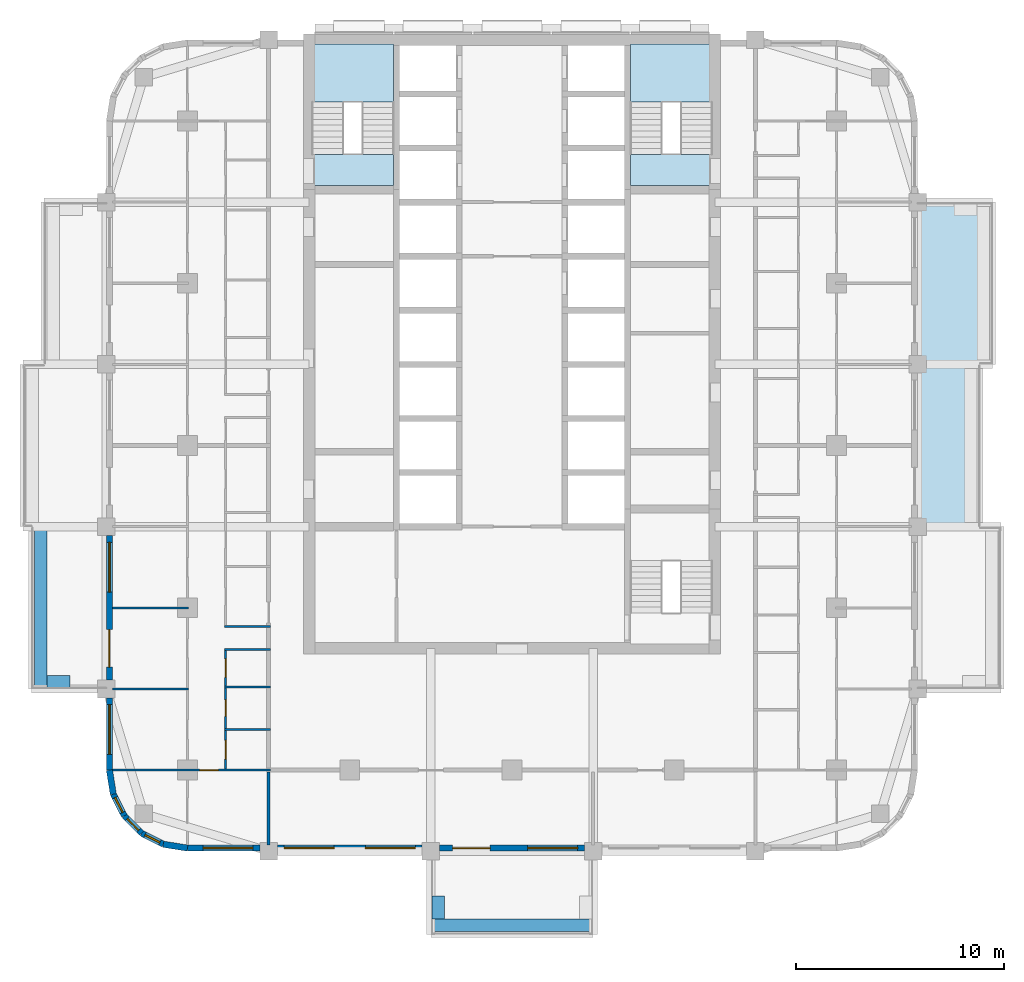
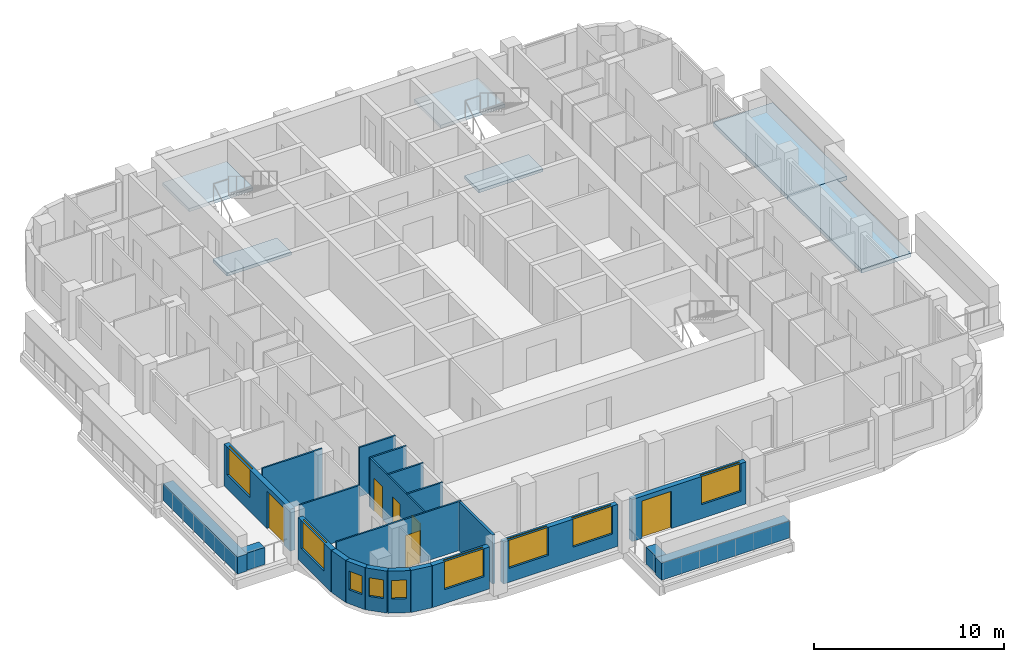
# One storey, part 2 of 12: 23 walls, 9 windows, 6 doors, 6 slabs, 15 openings, 2 elements without a shape of their own.
"""IFC4 building model written with IfcOpenShell, lengths in metres."""

from ifc_helpers import new_model, si_unit, direction, frame, frame_2d, origin, place, context, subcontext, project, spatial, polyline, rectangle, outline, extrude, material, layer, layer_set, type_object, element, fill, aggregate, save


model = new_model("IFC4")

# Units and contexts
model_context = context("Model", 3, precision=1e-05, world=origin(), true_north=direction((0.0, 1.0)))
body_context = subcontext(model_context, "Body", "Model", "MODEL_VIEW")
ifc_project = project(units=[si_unit("LENGTHUNIT", "METRE"), si_unit("AREAUNIT", "SQUARE_METRE"), si_unit("VOLUMEUNIT", "CUBIC_METRE"), si_unit("PLANEANGLEUNIT", "RADIAN"), si_unit("MASSUNIT", "GRAM", prefix="KILO")], contexts=[model_context])

# Site, building, storey
site_placement = place(None, origin())
site = spatial("IfcSite", under=ifc_project, at=site_placement, CompositionType="ELEMENT")
building_placement = place(site_placement, origin())
building = spatial("IfcBuilding", under=site, at=building_placement, Name="Ludao Terraces", CompositionType="ELEMENT")
storey_placement = place(building_placement, frame((0.0, 0.0, 137.300048828125)))
storey = spatial("IfcBuildingStorey", under=building, at=storey_placement, Name="L37", CompositionType="ELEMENT", Elevation=137.300048828125)

# Slabs
ifc_material_1 = material(Name="Concrete C40", Category="concrete")
ifc_layer_1 = layer(ifc_material_1, 0.25)
ifc_layer_set_1 = layer_set([ifc_layer_1], Name="Balcony slab 250 C40")
slab_type_1 = type_object("IfcSlabType", Name="Balcony slab 250 C40", PredefinedType="USERDEFINED", material=ifc_layer_set_1)
slab_1_placement = place(storey_placement, frame((0.0, 0.0, -0.25)))
element("IfcSlab", 1, at=slab_1_placement, inside=storey, type_object=slab_type_1, Name="Balcony L37 E2", ObjectType="BALCONY", PredefinedType="USERDEFINED", context=body_context, shape_type="SweptSolid", body=[
    extrude(outline(polyline([(104.5, 61.10009765625), (107.5, 61.10009765625), (107.5, 68.89990234375), (104.5, 68.89990234375), (104.5, 61.10009765625)])), origin(), (0.0, 0.0, 1.0), 0.25),
])
slab_2_placement = place(storey_placement, frame((0.0, 0.0, -0.25)))
element("IfcSlab", 2, at=slab_2_placement, inside=storey, type_object=slab_type_1, Name="Balcony L37 E3", ObjectType="BALCONY", PredefinedType="USERDEFINED", context=body_context, shape_type="SweptSolid", body=[
    extrude(outline(polyline([(104.5, 68.89990234375), (108.10009765625, 68.89990234375), (108.10009765625, 76.699951171875), (104.5, 76.699951171875), (104.5, 68.89990234375)])), origin(), (0.0, 0.0, 1.0), 0.25),
])

# Stair, slabs
stair_type = type_object("IfcStairType", Name="INT Stair", PredefinedType="HALF_TURN_STAIR", material=ifc_material_1)
stair_1_placement = place(storey_placement, origin())
stair_1 = element("IfcStair", 3, at=stair_1_placement, inside=storey, type_object=stair_type, Name="EXIT STAIR 1", PredefinedType="HALF_TURN_STAIR")
ifc_layer_2 = layer(ifc_material_1, 0.199951171875)
ifc_layer_set_2 = layer_set([ifc_layer_2], Name="INT Stair landing 200")
slab_type_2 = type_object("IfcSlabType", Name="INT Stair landing 200", PredefinedType="LANDING", material=ifc_layer_set_2)
slab_3_placement = place(storey_placement, frame((0.0, 0.0, 1.5)))
slab_3 = element("IfcSlab", 4, at=slab_3_placement, type_object=slab_type_2, Name="ST1 landing 1", PredefinedType="LANDING", context=body_context, shape_type="SweptSolid", body=[
    extrude(outline(polyline([(75.39990234375, 81.52001953125), (79.300048828125, 81.52001953125), (79.300048828125, 84.300048828125), (75.39990234375, 84.300048828125), (75.39990234375, 81.52001953125)])), origin(), (0.0, 0.0, 1.0), 0.199951171875),
])
slab_4_placement = place(storey_placement, frame((0.0, 0.0, -0.199951171875)))
slab_4 = element("IfcSlab", 5, at=slab_4_placement, type_object=slab_type_2, Name="ST1 landing 2", PredefinedType="LANDING", context=body_context, shape_type="SweptSolid", body=[
    extrude(outline(polyline([(75.39990234375, 77.5), (79.300048828125, 77.5), (79.300048828125, 79.0), (75.39990234375, 79.0), (75.39990234375, 77.5)])), origin(), (0.0, 0.0, 1.0), 0.199951171875),
])
aggregate(stair_1, [slab_3, slab_4])

stair_2_placement = place(storey_placement, origin())
stair_2 = element("IfcStair", 6, at=stair_2_placement, inside=storey, type_object=stair_type, Name="EXIT STAIR 2", PredefinedType="HALF_TURN_STAIR")
slab_5_placement = place(storey_placement, frame((0.0, 0.0, 1.5)))
slab_5 = element("IfcSlab", 7, at=slab_5_placement, type_object=slab_type_2, Name="ST2 landing 1", PredefinedType="LANDING", context=body_context, shape_type="SweptSolid", body=[
    extrude(outline(polyline([(90.699951171875, 81.52001953125), (94.60009765625, 81.52001953125), (94.60009765625, 84.300048828125), (90.699951171875, 84.300048828125), (90.699951171875, 81.52001953125)])), origin(), (0.0, 0.0, 1.0), 0.199951171875),
])
slab_6_placement = place(storey_placement, frame((0.0, 0.0, -0.199951171875)))
slab_6 = element("IfcSlab", 8, at=slab_6_placement, type_object=slab_type_2, Name="ST2 landing 2", PredefinedType="LANDING", context=body_context, shape_type="SweptSolid", body=[
    extrude(outline(polyline([(90.699951171875, 77.5), (94.60009765625, 77.5), (94.60009765625, 79.0), (90.699951171875, 79.0), (90.699951171875, 77.5)])), origin(), (0.0, 0.0, 1.0), 0.199951171875),
])
aggregate(stair_2, [slab_5, slab_6])

# Walls
ifc_layer_3 = layer(ifc_material_1, 0.60009765625)
ifc_layer_set_3 = layer_set([ifc_layer_3], Name="ENV Planter trough 600")
wall_type_1 = type_object("IfcWallType", Name="ENV Planter trough 600", PredefinedType="USERDEFINED", material=ifc_layer_set_3)
wall_1_placement = place(storey_placement, frame((81.10009765625, 41.949951171875, 0.0), z_axis=(0.0, 0.0, 1.0), x_axis=(1.0, 0.0, 0.0)))
element("IfcWall", 9, at=wall_1_placement, inside=storey, type_object=wall_type_1, Name="PL-L37-S1", ObjectType="PLANTER", PredefinedType="USERDEFINED", context=body_context, shape_type="SweptSolid", body=[
    extrude(rectangle(XDim=7.7998046875, YDim=0.60009765625, at=frame_2d((3.89990234375, 0.0))), origin(), (0.0, 0.0, 1.0), 1.099853515625),
])
wall_2_placement = place(storey_placement, frame((81.449951171875, 42.25, 0.0), z_axis=(0.0, 0.0, 1.0), x_axis=(0.0, 1.0, 0.0)))
element("IfcWall", 10, at=wall_2_placement, inside=storey, type_object=wall_type_1, Name="PL-L37-S1-SA", ObjectType="PLANTER", PredefinedType="USERDEFINED", context=body_context, shape_type="SweptSolid", body=[
    extrude(rectangle(XDim=1.10009765625, YDim=0.60009765625, at=frame_2d((0.550048828125, 0.0))), origin(), (0.0, 0.0, 1.0), 1.099853515625),
])
wall_3_placement = place(storey_placement, frame((62.35009765625, 53.300048828125, 0.0), z_axis=(0.0, 0.0, 1.0), x_axis=(0.0, 1.0, 0.0)))
element("IfcWall", 11, at=wall_3_placement, inside=storey, type_object=wall_type_1, Name="PL-L37-W1", ObjectType="PLANTER", PredefinedType="USERDEFINED", context=body_context, shape_type="SweptSolid", body=[
    extrude(rectangle(XDim=7.800048828125, YDim=0.60009765625, at=frame_2d((3.89990234375, 0.0))), origin(), (0.0, 0.0, 1.0), 1.099853515625),
])
wall_4_placement = place(storey_placement, frame((62.64990234375, 53.64990234375, 0.0), z_axis=(0.0, 0.0, 1.0), x_axis=(1.0, 0.0, 0.0)))
element("IfcWall", 12, at=wall_4_placement, inside=storey, type_object=wall_type_1, Name="PL-L37-W1-SA", ObjectType="PLANTER", PredefinedType="USERDEFINED", context=body_context, shape_type="SweptSolid", body=[
    extrude(rectangle(XDim=1.10009765625, YDim=0.60009765625, at=frame_2d((0.550048828125, 0.0))), origin(), (0.0, 0.0, 1.0), 1.099853515625),
])

# Wall, opening, window
ifc_material_2 = material(Name="Granite cladding", Category="masonry")
ifc_layer_4 = layer(ifc_material_2, 0.0400390625, Category="stone")
ifc_material_3 = material(Name="Mineral wool")
ifc_layer_5 = layer(ifc_material_3, 0.06005859375)
ifc_layer_6 = layer(ifc_material_1, 0.199951171875, Category="concrete")
ifc_layer_set_4 = layer_set([ifc_layer_4, ifc_layer_5, ifc_layer_6], Name="ENV Stone-clad wall 300")
wall_type_2 = type_object("IfcWallType", Name="ENV Stone-clad wall 300", PredefinedType="SOLIDWALL", material=ifc_layer_set_4)
wall_5_placement = place(storey_placement, frame((69.39990234375, 45.64990234375, 0.0), z_axis=(0.0, 0.0, 1.0), x_axis=(1.0, 0.0, 0.0)))
wall_5 = element("IfcWall", 13, at=wall_5_placement, inside=storey, type_object=wall_type_2, Name="EW-L37-S1", PredefinedType="SOLIDWALL", context=body_context, shape_type="SweptSolid", body=[
    extrude(rectangle(XDim=3.47509765625, YDim=0.300048828125, at=frame_2d((1.737548828125, 0.0))), origin(), (0.0, 0.0, 1.0), 2.699951171875),
])
opening_1_placement = place(wall_5_placement, frame((0.75, 0.0, 0.89990234375)))
opening_1 = element("IfcOpeningElement", 14, at=opening_1_placement, cuts=wall_5, Name="Opening W1", PredefinedType="OPENING", context=body_context, shape_type="SweptSolid", body=[
    extrude(rectangle(XDim=2.39990234375, YDim=1.800048828125, at=frame_2d((1.199951171875, 0.89990234375))), frame((0.0, 0.16015625, 0.0), z_axis=(0.0, -1.0, 0.0), x_axis=(1.0, 0.0, 0.0)), (0.0, 0.0, 1.0), 0.320068359375),
])
ifc_material_4 = material(Name="Clear glass in aluminium frame", Category="aluminium")
ifc_layer_7 = layer(ifc_material_4, 0.06005859375)
ifc_layer_set_5 = layer_set([ifc_layer_7], Name="ENV Window W1 2400x1800")
window_type_1 = type_object("IfcWindowType", Name="ENV Window W1 2400x1800", PartitioningType="DOUBLE_PANEL_VERTICAL", PredefinedType="WINDOW", material=ifc_layer_set_5)
window_1_placement = place(opening_1_placement, origin())
window_1 = element("IfcWindow", 15, at=window_1_placement, inside=storey, type_object=window_type_1, Name="W-L37-S1-1", OverallHeight=1.800048828125, OverallWidth=2.39990234375, PartitioningType="DOUBLE_PANEL_VERTICAL", PredefinedType="WINDOW", context=body_context, shape_type="SweptSolid", body=[
    extrude(rectangle(XDim=2.39990234375, YDim=1.800048828125, at=frame_2d((1.199951171875, 0.89990234375))), frame((0.0, 0.030029296875, 0.0), z_axis=(0.0, -1.0, 0.0), x_axis=(1.0, 0.0, 0.0)), (0.0, 0.0, 1.0), 0.06005859375),
])
fill(opening_1, window_1)

# Wall, openings, windows
wall_6_placement = place(storey_placement, frame((73.72509765625, 45.64990234375, 0.0), z_axis=(0.0, 0.0, 1.0), x_axis=(1.0, 0.0, 0.0)))
wall_6 = element("IfcWall", 16, at=wall_6_placement, inside=storey, type_object=wall_type_2, Name="EW-L37-S2", PredefinedType="SOLIDWALL", context=body_context, shape_type="SweptSolid", body=[
    extrude(rectangle(XDim=6.949951171875, YDim=0.300048828125, at=frame_2d((3.47509765625, 0.0))), origin(), (0.0, 0.0, 1.0), 2.699951171875),
])
opening_2_placement = place(wall_6_placement, frame((0.324951171875, 0.0, 0.89990234375)))
opening_2 = element("IfcOpeningElement", 17, at=opening_2_placement, cuts=wall_6, Name="Opening W1", PredefinedType="OPENING", context=body_context, shape_type="SweptSolid", body=[
    extrude(rectangle(XDim=2.39990234375, YDim=1.800048828125, at=frame_2d((1.199951171875, 0.89990234375))), frame((0.0, 0.16015625, 0.0), z_axis=(0.0, -1.0, 0.0), x_axis=(1.0, 0.0, 0.0)), (0.0, 0.0, 1.0), 0.320068359375),
])
opening_3_placement = place(wall_6_placement, frame((4.22509765625, 0.0, 0.89990234375)))
opening_3 = element("IfcOpeningElement", 18, at=opening_3_placement, cuts=wall_6, Name="Opening W1", PredefinedType="OPENING", context=body_context, shape_type="SweptSolid", body=[
    extrude(rectangle(XDim=2.39990234375, YDim=1.800048828125, at=frame_2d((1.199951171875, 0.89990234375))), frame((0.0, 0.16015625, 0.0), z_axis=(0.0, -1.0, 0.0), x_axis=(1.0, 0.0, 0.0)), (0.0, 0.0, 1.0), 0.320068359375),
])
window_2_placement = place(opening_2_placement, origin())
window_2 = element("IfcWindow", 19, at=window_2_placement, inside=storey, type_object=window_type_1, Name="W-L37-S2-1", OverallHeight=1.800048828125, OverallWidth=2.39990234375, PartitioningType="DOUBLE_PANEL_VERTICAL", PredefinedType="WINDOW", context=body_context, shape_type="SweptSolid", body=[
    extrude(rectangle(XDim=2.39990234375, YDim=1.800048828125, at=frame_2d((1.199951171875, 0.89990234375))), frame((0.0, 0.030029296875, 0.0), z_axis=(0.0, -1.0, 0.0), x_axis=(1.0, 0.0, 0.0)), (0.0, 0.0, 1.0), 0.06005859375),
])
fill(opening_2, window_2)
window_3_placement = place(opening_3_placement, origin())
window_3 = element("IfcWindow", 20, at=window_3_placement, inside=storey, type_object=window_type_1, Name="W-L37-S2-2", OverallHeight=1.800048828125, OverallWidth=2.39990234375, PartitioningType="DOUBLE_PANEL_VERTICAL", PredefinedType="WINDOW", context=body_context, shape_type="SweptSolid", body=[
    extrude(rectangle(XDim=2.39990234375, YDim=1.800048828125, at=frame_2d((1.199951171875, 0.89990234375))), frame((0.0, 0.030029296875, 0.0), z_axis=(0.0, -1.0, 0.0), x_axis=(1.0, 0.0, 0.0)), (0.0, 0.0, 1.0), 0.06005859375),
])
fill(opening_3, window_3)

# Wall, openings, door, window
wall_7_placement = place(storey_placement, frame((81.52490234375, 45.64990234375, 0.0), z_axis=(0.0, 0.0, 1.0), x_axis=(1.0, 0.0, 0.0)))
wall_7 = element("IfcWall", 21, at=wall_7_placement, inside=storey, type_object=wall_type_2, Name="EW-L37-S3", PredefinedType="SOLIDWALL", context=body_context, shape_type="SweptSolid", body=[
    extrude(rectangle(XDim=6.9501953125, YDim=0.300048828125, at=frame_2d((3.47509765625, 0.0))), origin(), (0.0, 0.0, 1.0), 2.699951171875),
])
opening_4_placement = place(wall_7_placement, frame((0.625, 0.0, 0.0)))
opening_4 = element("IfcOpeningElement", 22, at=opening_4_placement, cuts=wall_7, Name="Opening BD", PredefinedType="OPENING", context=body_context, shape_type="SweptSolid", body=[
    extrude(rectangle(XDim=1.800048828125, YDim=2.39990234375, at=frame_2d((0.89990234375, 1.199951171875))), frame((0.0, 0.16015625, 0.0), z_axis=(0.0, -1.0, 0.0), x_axis=(1.0, 0.0, 0.0)), (0.0, 0.0, 1.0), 0.320068359375),
])
opening_5_placement = place(wall_7_placement, frame((4.22509765625, 0.0, 0.89990234375)))
opening_5 = element("IfcOpeningElement", 23, at=opening_5_placement, cuts=wall_7, Name="Opening W1", PredefinedType="OPENING", context=body_context, shape_type="SweptSolid", body=[
    extrude(rectangle(XDim=2.39990234375, YDim=1.800048828125, at=frame_2d((1.199951171875, 0.89990234375))), frame((0.0, 0.16015625, 0.0), z_axis=(0.0, -1.0, 0.0), x_axis=(1.0, 0.0, 0.0)), (0.0, 0.0, 1.0), 0.320068359375),
])
ifc_material_5 = material(Name="Aluminium glazed door", Category="aluminium")
ifc_layer_8 = layer(ifc_material_5, 0.06005859375)
ifc_layer_set_6 = layer_set([ifc_layer_8], Name="ENV Balcony door BD 1800x2400")
door_type_1 = type_object("IfcDoorType", Name="ENV Balcony door BD 1800x2400", OperationType="DOUBLE_DOOR_SINGLE_SWING", PredefinedType="DOOR", material=ifc_layer_set_6)
door_1_placement = place(opening_4_placement, origin())
door_1 = element("IfcDoor", 24, at=door_1_placement, inside=storey, type_object=door_type_1, Name="BD-L37-S3-1", OperationType="DOUBLE_DOOR_SINGLE_SWING", OverallHeight=2.39990234375, OverallWidth=1.800048828125, PredefinedType="DOOR", context=body_context, shape_type="SweptSolid", body=[
    extrude(rectangle(XDim=1.800048828125, YDim=2.39990234375, at=frame_2d((0.89990234375, 1.199951171875))), frame((0.0, 0.02490234375, 0.0), z_axis=(0.0, -1.0, 0.0), x_axis=(1.0, 0.0, 0.0)), (0.0, 0.0, 1.0), 0.050048828125),
])
fill(opening_4, door_1)
window_4_placement = place(opening_5_placement, origin())
window_4 = element("IfcWindow", 25, at=window_4_placement, inside=storey, type_object=window_type_1, Name="W-L37-S3-2", OverallHeight=1.800048828125, OverallWidth=2.39990234375, PartitioningType="DOUBLE_PANEL_VERTICAL", PredefinedType="WINDOW", context=body_context, shape_type="SweptSolid", body=[
    extrude(rectangle(XDim=2.39990234375, YDim=1.800048828125, at=frame_2d((1.199951171875, 0.89990234375))), frame((0.0, 0.030029296875, 0.0), z_axis=(0.0, -1.0, 0.0), x_axis=(1.0, 0.0, 0.0)), (0.0, 0.0, 1.0), 0.06005859375),
])
fill(opening_5, window_4)

# Wall, opening, window
wall_8_placement = place(storey_placement, frame((65.64990234375, 49.39990234375, 0.0), z_axis=(0.0, 0.0, 1.0), x_axis=(0.0, 1.0, 0.0)))
wall_8 = element("IfcWall", 26, at=wall_8_placement, inside=storey, type_object=wall_type_2, Name="EW-L37-W1", PredefinedType="SOLIDWALL", context=body_context, shape_type="SweptSolid", body=[
    extrude(rectangle(XDim=3.47509765625, YDim=0.300048828125, at=frame_2d((1.737548828125, 0.0))), origin(), (0.0, 0.0, 1.0), 2.699951171875),
])
opening_6_placement = place(wall_8_placement, frame((0.75, 0.0, 0.89990234375)))
opening_6 = element("IfcOpeningElement", 27, at=opening_6_placement, cuts=wall_8, Name="Opening W1", PredefinedType="OPENING", context=body_context, shape_type="SweptSolid", body=[
    extrude(rectangle(XDim=2.39990234375, YDim=1.800048828125, at=frame_2d((1.199951171875, 0.89990234375))), frame((0.0, 0.16015625, 0.0), z_axis=(0.0, -1.0, 0.0), x_axis=(1.0, 0.0, 0.0)), (0.0, 0.0, 1.0), 0.320068359375),
])
window_5_placement = place(opening_6_placement, origin())
window_5 = element("IfcWindow", 28, at=window_5_placement, inside=storey, type_object=window_type_1, Name="W-L37-W1-1", OverallHeight=1.800048828125, OverallWidth=2.39990234375, PartitioningType="DOUBLE_PANEL_VERTICAL", PredefinedType="WINDOW", context=body_context, shape_type="SweptSolid", body=[
    extrude(rectangle(XDim=2.39990234375, YDim=1.800048828125, at=frame_2d((1.199951171875, 0.89990234375))), frame((0.0, 0.030029296875, 0.0), z_axis=(0.0, -1.0, 0.0), x_axis=(1.0, 0.0, 0.0)), (0.0, 0.0, 1.0), 0.06005859375),
])
fill(opening_6, window_5)

# Wall, openings, door, window
wall_9_placement = place(storey_placement, frame((65.64990234375, 53.72509765625, 0.0), z_axis=(0.0, 0.0, 1.0), x_axis=(0.0, 1.0, 0.0)))
wall_9 = element("IfcWall", 29, at=wall_9_placement, inside=storey, type_object=wall_type_2, Name="EW-L37-W2", PredefinedType="SOLIDWALL", context=body_context, shape_type="SweptSolid", body=[
    extrude(rectangle(XDim=6.949951171875, YDim=0.300048828125, at=frame_2d((3.47509765625, 0.0))), origin(), (0.0, 0.0, 1.0), 2.699951171875),
])
opening_7_placement = place(wall_9_placement, frame((0.625, 0.0, 0.0)))
opening_7 = element("IfcOpeningElement", 30, at=opening_7_placement, cuts=wall_9, Name="Opening BD", PredefinedType="OPENING", context=body_context, shape_type="SweptSolid", body=[
    extrude(rectangle(XDim=1.800048828125, YDim=2.39990234375, at=frame_2d((0.89990234375, 1.199951171875))), frame((0.0, 0.16015625, 0.0), z_axis=(0.0, -1.0, 0.0), x_axis=(1.0, 0.0, 0.0)), (0.0, 0.0, 1.0), 0.320068359375),
])
opening_8_placement = place(wall_9_placement, frame((4.22509765625, 0.0, 0.89990234375)))
opening_8 = element("IfcOpeningElement", 31, at=opening_8_placement, cuts=wall_9, Name="Opening W1", PredefinedType="OPENING", context=body_context, shape_type="SweptSolid", body=[
    extrude(rectangle(XDim=2.39990234375, YDim=1.800048828125, at=frame_2d((1.199951171875, 0.89990234375))), frame((0.0, 0.16015625, 0.0), z_axis=(0.0, -1.0, 0.0), x_axis=(1.0, 0.0, 0.0)), (0.0, 0.0, 1.0), 0.320068359375),
])
door_2_placement = place(opening_7_placement, origin())
door_2 = element("IfcDoor", 32, at=door_2_placement, inside=storey, type_object=door_type_1, Name="BD-L37-W2-1", OperationType="DOUBLE_DOOR_SINGLE_SWING", OverallHeight=2.39990234375, OverallWidth=1.800048828125, PredefinedType="DOOR", context=body_context, shape_type="SweptSolid", body=[
    extrude(rectangle(XDim=1.800048828125, YDim=2.39990234375, at=frame_2d((0.89990234375, 1.199951171875))), frame((0.0, 0.02490234375, 0.0), z_axis=(0.0, -1.0, 0.0), x_axis=(1.0, 0.0, 0.0)), (0.0, 0.0, 1.0), 0.050048828125),
])
fill(opening_7, door_2)
window_6_placement = place(opening_8_placement, origin())
window_6 = element("IfcWindow", 33, at=window_6_placement, inside=storey, type_object=window_type_1, Name="W-L37-W2-2", OverallHeight=1.800048828125, OverallWidth=2.39990234375, PartitioningType="DOUBLE_PANEL_VERTICAL", PredefinedType="WINDOW", context=body_context, shape_type="SweptSolid", body=[
    extrude(rectangle(XDim=2.39990234375, YDim=1.800048828125, at=frame_2d((1.199951171875, 0.89990234375))), frame((0.0, 0.030029296875, 0.0), z_axis=(0.0, -1.0, 0.0), x_axis=(1.0, 0.0, 0.0)), (0.0, 0.0, 1.0), 0.06005859375),
])
fill(opening_8, window_6)

# Wall
wall_10_placement = place(storey_placement, frame((65.64990234375, 49.39990234375, 0.0), z_axis=(0.0, 0.0, 1.0), x_axis=(0.156496880861, -0.987678452879, 0.0)))
element("IfcWall", 34, at=wall_10_placement, inside=storey, type_object=wall_type_2, Name="EW-L37-SW1", PredefinedType="SOLIDWALL", context=body_context, shape_type="SweptSolid", body=[
    extrude(rectangle(XDim=1.173095703125, YDim=0.300048828125, at=frame_2d((0.58642578125, 0.0))), origin(), (0.0, 0.0, 1.0), 2.699951171875),
])

# Wall, opening, window
wall_11_placement = place(storey_placement, frame((65.83349609375, 48.2412109375, 0.0), z_axis=(0.0, 0.0, 1.0), x_axis=(0.454025524128, -0.890988677504, 0.0)))
wall_11 = element("IfcWall", 35, at=wall_11_placement, inside=storey, type_object=wall_type_2, Name="EW-L37-SW2", PredefinedType="SOLIDWALL", context=body_context, shape_type="SweptSolid", body=[
    extrude(rectangle(XDim=1.17333984375, YDim=0.300048828125, at=frame_2d((0.586669921875, 0.0))), origin(), (0.0, 0.0, 1.0), 2.699951171875),
])
opening_9_placement = place(wall_11_placement, frame((0.1865234375, 0.0, 0.89990234375)))
opening_9 = element("IfcOpeningElement", 36, at=opening_9_placement, cuts=wall_11, Name="Opening W3", PredefinedType="OPENING", context=body_context, shape_type="SweptSolid", body=[
    extrude(rectangle(XDim=0.800048828125, YDim=1.199951171875, at=frame_2d((0.39990234375, 0.60009765625))), frame((0.0, 0.16015625, 0.0), z_axis=(0.0, -1.0, 0.0), x_axis=(1.0, 0.0, 0.0)), (0.0, 0.0, 1.0), 0.320068359375),
])
ifc_layer_9 = layer(ifc_material_4, 0.06005859375)
ifc_layer_set_7 = layer_set([ifc_layer_9], Name="ENV Window W3 800x1200")
window_type_2 = type_object("IfcWindowType", Name="ENV Window W3 800x1200", PartitioningType="SINGLE_PANEL", PredefinedType="WINDOW", material=ifc_layer_set_7)
window_7_placement = place(opening_9_placement, origin())
window_7 = element("IfcWindow", 37, at=window_7_placement, inside=storey, type_object=window_type_2, Name="W-L37-SW2", OverallHeight=1.199951171875, OverallWidth=0.800048828125, PartitioningType="SINGLE_PANEL", PredefinedType="WINDOW", context=body_context, shape_type="SweptSolid", body=[
    extrude(rectangle(XDim=0.800048828125, YDim=1.199951171875, at=frame_2d((0.39990234375, 0.60009765625))), frame((0.0, 0.030029296875, 0.0), z_axis=(0.0, -1.0, 0.0), x_axis=(1.0, 0.0, 0.0)), (0.0, 0.0, 1.0), 0.06005859375),
])
fill(opening_9, window_7)

wall_12_placement = place(storey_placement, frame((66.3662109375, 47.19580078125, 0.0), z_axis=(0.0, 0.0, 1.0), x_axis=(0.707106781187, -0.707106781187, 0.0)))
wall_12 = element("IfcWall", 38, at=wall_12_placement, inside=storey, type_object=wall_type_2, Name="EW-L37-SW3", PredefinedType="SOLIDWALL", context=body_context, shape_type="SweptSolid", body=[
    extrude(rectangle(XDim=1.173095703125, YDim=0.300048828125, at=frame_2d((0.58642578125, 0.0))), origin(), (0.0, 0.0, 1.0), 2.699951171875),
])
opening_10_placement = place(wall_12_placement, frame((0.1865234375, 0.0, 0.89990234375)))
opening_10 = element("IfcOpeningElement", 39, at=opening_10_placement, cuts=wall_12, Name="Opening W3", PredefinedType="OPENING", context=body_context, shape_type="SweptSolid", body=[
    extrude(rectangle(XDim=0.800048828125, YDim=1.199951171875, at=frame_2d((0.39990234375, 0.60009765625))), frame((0.0, 0.16015625, 0.0), z_axis=(0.0, -1.0, 0.0), x_axis=(1.0, 0.0, 0.0)), (0.0, 0.0, 1.0), 0.320068359375),
])
window_8_placement = place(opening_10_placement, origin())
window_8 = element("IfcWindow", 40, at=window_8_placement, inside=storey, type_object=window_type_2, Name="W-L37-SW3", OverallHeight=1.199951171875, OverallWidth=0.800048828125, PartitioningType="SINGLE_PANEL", PredefinedType="WINDOW", context=body_context, shape_type="SweptSolid", body=[
    extrude(rectangle(XDim=0.800048828125, YDim=1.199951171875, at=frame_2d((0.39990234375, 0.60009765625))), frame((0.0, 0.030029296875, 0.0), z_axis=(0.0, -1.0, 0.0), x_axis=(1.0, 0.0, 0.0)), (0.0, 0.0, 1.0), 0.06005859375),
])
fill(opening_10, window_8)

wall_13_placement = place(storey_placement, frame((67.19580078125, 46.3662109375, 0.0), z_axis=(0.0, 0.0, 1.0), x_axis=(0.890988677504, -0.454025524128, 0.0)))
wall_13 = element("IfcWall", 41, at=wall_13_placement, inside=storey, type_object=wall_type_2, Name="EW-L37-SW4", PredefinedType="SOLIDWALL", context=body_context, shape_type="SweptSolid", body=[
    extrude(rectangle(XDim=1.17333984375, YDim=0.300048828125, at=frame_2d((0.586669921875, 0.0))), origin(), (0.0, 0.0, 1.0), 2.699951171875),
])
opening_11_placement = place(wall_13_placement, frame((0.1865234375, 0.0, 0.89990234375)))
opening_11 = element("IfcOpeningElement", 42, at=opening_11_placement, cuts=wall_13, Name="Opening W3", PredefinedType="OPENING", context=body_context, shape_type="SweptSolid", body=[
    extrude(rectangle(XDim=0.800048828125, YDim=1.199951171875, at=frame_2d((0.39990234375, 0.60009765625))), frame((0.0, 0.16015625, 0.0), z_axis=(0.0, -1.0, 0.0), x_axis=(1.0, 0.0, 0.0)), (0.0, 0.0, 1.0), 0.320068359375),
])
window_9_placement = place(opening_11_placement, origin())
window_9 = element("IfcWindow", 43, at=window_9_placement, inside=storey, type_object=window_type_2, Name="W-L37-SW4", OverallHeight=1.199951171875, OverallWidth=0.800048828125, PartitioningType="SINGLE_PANEL", PredefinedType="WINDOW", context=body_context, shape_type="SweptSolid", body=[
    extrude(rectangle(XDim=0.800048828125, YDim=1.199951171875, at=frame_2d((0.39990234375, 0.60009765625))), frame((0.0, 0.030029296875, 0.0), z_axis=(0.0, -1.0, 0.0), x_axis=(1.0, 0.0, 0.0)), (0.0, 0.0, 1.0), 0.06005859375),
])
fill(opening_11, window_9)

# Wall
wall_14_placement = place(storey_placement, frame((68.2412109375, 45.83349609375, 0.0), z_axis=(0.0, 0.0, 1.0), x_axis=(0.987678452879, -0.156496880861, 0.0)))
element("IfcWall", 44, at=wall_14_placement, inside=storey, type_object=wall_type_2, Name="EW-L37-SW5", PredefinedType="SOLIDWALL", context=body_context, shape_type="SweptSolid", body=[
    extrude(rectangle(XDim=1.173095703125, YDim=0.300048828125, at=frame_2d((0.58642578125, 0.0))), origin(), (0.0, 0.0, 1.0), 2.699951171875),
])

# Wall, opening, door
ifc_material_6 = material(Name="Gypsum plasterboard", Category="gypsum")
ifc_layer_10 = layer(ifc_material_6, 0.012451171875, Category="gypsum")
ifc_layer_11 = layer(ifc_material_3, 0.06005859375, Name="insulation")
ifc_material_7 = material(Name="Steel Q235", Category="steel")
ifc_layer_12 = layer(ifc_material_7, 0.014892578125, Name="stud")
ifc_layer_13 = layer(ifc_material_6, 0.012451171875, Category="gypsum")
ifc_layer_set_8 = layer_set([ifc_layer_10, ifc_layer_11, ifc_layer_12, ifc_layer_13], Name="INT Partition 100")
wall_type_3 = type_object("IfcWallType", Name="INT Partition 100", PredefinedType="PARTITIONING", material=ifc_layer_set_8)
wall_15_placement = place(storey_placement, frame((65.800048828125, 49.39990234375, 0.0), z_axis=(0.0, 0.0, 1.0), x_axis=(1.0, 0.0, 0.0)))
wall_15 = element("IfcWall", 45, at=wall_15_placement, inside=storey, type_object=wall_type_3, Name="PW-L37-PW000", PredefinedType="PARTITIONING", context=body_context, shape_type="SweptSolid", body=[
    extrude(rectangle(XDim=7.60009765625, YDim=0.10009765625, at=frame_2d((3.800048828125, 0.0))), origin(), (0.0, 0.0, 1.0), 3.14990234375),
])
opening_12_placement = place(wall_15_placement, frame((4.18994140625, 0.0, 0.0)))
opening_12 = element("IfcOpeningElement", 46, at=opening_12_placement, cuts=wall_15, Name="Opening R12-003", PredefinedType="OPENING", context=body_context, shape_type="SweptSolid", body=[
    extrude(rectangle(XDim=0.89990234375, YDim=2.10009765625, at=frame_2d((0.449951171875, 1.050048828125))), frame((0.0, 0.06005859375, 0.0), z_axis=(0.0, -1.0, 0.0), x_axis=(1.0, 0.0, 0.0)), (0.0, 0.0, 1.0), 0.1201171875),
])
ifc_material_8 = material(Name="Timber door leaf", Category="wood")
door_type_2 = type_object("IfcDoorType", Name="INT Room door 900", OperationType="SINGLE_SWING_LEFT", PredefinedType="DOOR", material=ifc_material_8)
door_3_placement = place(opening_12_placement, origin())
door_3 = element("IfcDoor", 47, at=door_3_placement, inside=storey, type_object=door_type_2, Name="DOOR 003", OperationType="SINGLE_SWING_RIGHT", OverallHeight=2.10009765625, OverallWidth=0.89990234375, PredefinedType="DOOR", context=body_context, shape_type="SweptSolid", body=[
    extrude(rectangle(XDim=0.89990234375, YDim=2.10009765625, at=frame_2d((0.449951171875, 1.050048828125))), frame((0.0, 0.02490234375, 0.0), z_axis=(0.0, -1.0, 0.0), x_axis=(1.0, 0.0, 0.0)), (0.0, 0.0, 1.0), 0.050048828125),
])
fill(opening_12, door_3)

# Walls
wall_16_placement = place(storey_placement, frame((71.18017578125, 51.35009765625, 0.0), z_axis=(0.0, 0.0, 1.0), x_axis=(1.0, 0.0, 0.0)))
element("IfcWall", 48, at=wall_16_placement, inside=storey, type_object=wall_type_3, Name="PW-L37-PW003", PredefinedType="PARTITIONING", context=body_context, shape_type="SweptSolid", body=[
    extrude(rectangle(XDim=2.219970703125, YDim=0.10009765625, at=frame_2d((1.10986328125, 0.0))), origin(), (0.0, 0.0, 1.0), 3.14990234375),
])
wall_17_placement = place(storey_placement, frame((65.800048828125, 53.300048828125, 0.0), z_axis=(0.0, 0.0, 1.0), x_axis=(1.0, 0.0, 0.0)))
element("IfcWall", 49, at=wall_17_placement, inside=storey, type_object=wall_type_3, Name="PW-L37-PW005", PredefinedType="PARTITIONING", context=body_context, shape_type="SweptSolid", body=[
    extrude(rectangle(XDim=3.650146484375, YDim=0.10009765625, at=frame_2d((1.8251953125, 0.0))), origin(), (0.0, 0.0, 1.0), 3.14990234375),
])
for number, where, z_axis, x_axis, name in (
    (50, (71.18017578125, 53.39990234375, 0.0), (0.0, 0.0, 1.0), (1.0, 0.0, 0.0), "PW-L37-PW007"),
    (51, (71.18017578125, 55.199951171875, 0.0), (0.0, 0.0, 1.0), (1.0, 0.0, 0.0), "PW-L37-PW009"),
    (52, (71.18017578125, 56.300048828125, 0.0), (0.0, 0.0, 1.0), (1.0, 0.0, 0.0), "PW-L37-PW010"),
):
    element("IfcWall", number, at=place(storey_placement, frame(where, z_axis=z_axis, x_axis=x_axis)), inside=storey, type_object=wall_type_3, Name=name, PredefinedType="PARTITIONING", context=body_context, shape_type="SweptSolid", body=[
        extrude(rectangle(XDim=2.219970703125, YDim=0.10009765625, at=frame_2d((1.10986328125, 0.0))), origin(), (0.0, 0.0, 1.0), 3.14990234375),
    ])
wall_18_placement = place(storey_placement, frame((65.800048828125, 57.199951171875, 0.0), z_axis=(0.0, 0.0, 1.0), x_axis=(1.0, 0.0, 0.0)))
element("IfcWall", 53, at=wall_18_placement, inside=storey, type_object=wall_type_3, Name="PW-L37-PW012", PredefinedType="PARTITIONING", context=body_context, shape_type="SweptSolid", body=[
    extrude(rectangle(XDim=3.650146484375, YDim=0.10009765625, at=frame_2d((1.8251953125, 0.0))), origin(), (0.0, 0.0, 1.0), 3.14990234375),
])

# Wall, openings, doors
wall_19_placement = place(storey_placement, frame((71.22998046875, 49.4501953125, 0.0), z_axis=(0.0, 0.0, 1.0), x_axis=(0.0, 1.0, 0.0)))
wall_19 = element("IfcWall", 54, at=wall_19_placement, inside=storey, type_object=wall_type_3, Name="PW-L37-PW048", PredefinedType="PARTITIONING", context=body_context, shape_type="SweptSolid", body=[
    extrude(rectangle(XDim=5.699951171875, YDim=0.10009765625, at=frame_2d((2.85009765625, 0.0))), origin(), (0.0, 0.0, 1.0), 3.14990234375),
])
opening_13_placement = place(wall_19_placement, frame((0.474853515625, 0.0, 0.0)))
opening_13 = element("IfcOpeningElement", 55, at=opening_13_placement, cuts=wall_19, Name="Opening R12-007", PredefinedType="OPENING", context=body_context, shape_type="SweptSolid", body=[
    extrude(rectangle(XDim=0.89990234375, YDim=2.10009765625, at=frame_2d((0.449951171875, 1.050048828125))), frame((0.0, 0.06005859375, 0.0), z_axis=(0.0, -1.0, 0.0), x_axis=(1.0, 0.0, 0.0)), (0.0, 0.0, 1.0), 0.1201171875),
])
opening_14_placement = place(wall_19_placement, frame((2.52490234375, 0.0, 0.0)))
opening_14 = element("IfcOpeningElement", 56, at=opening_14_placement, cuts=wall_19, Name="Opening R12-011", PredefinedType="OPENING", context=body_context, shape_type="SweptSolid", body=[
    extrude(rectangle(XDim=0.800048828125, YDim=2.10009765625, at=frame_2d((0.39990234375, 1.050048828125))), frame((0.0, 0.06005859375, 0.0), z_axis=(0.0, -1.0, 0.0), x_axis=(1.0, 0.0, 0.0)), (0.0, 0.0, 1.0), 0.1201171875),
])
opening_15_placement = place(wall_19_placement, frame((4.39990234375, 0.0, 0.0)))
opening_15 = element("IfcOpeningElement", 57, at=opening_15_placement, cuts=wall_19, Name="Opening R12-013", PredefinedType="OPENING", context=body_context, shape_type="SweptSolid", body=[
    extrude(rectangle(XDim=0.89990234375, YDim=2.10009765625, at=frame_2d((0.449951171875, 1.050048828125))), frame((0.0, 0.06005859375, 0.0), z_axis=(0.0, -1.0, 0.0), x_axis=(1.0, 0.0, 0.0)), (0.0, 0.0, 1.0), 0.1201171875),
])
door_type_3 = type_object("IfcDoorType", Name="INT Bathroom door 900", OperationType="SINGLE_SWING_LEFT", PredefinedType="DOOR", material=ifc_material_8)
door_4_placement = place(opening_13_placement, origin())
door_4 = element("IfcDoor", 58, at=door_4_placement, inside=storey, type_object=door_type_3, Name="DOOR 007", OperationType="SINGLE_SWING_RIGHT", OverallHeight=2.10009765625, OverallWidth=0.89990234375, PredefinedType="DOOR", context=body_context, shape_type="SweptSolid", body=[
    extrude(rectangle(XDim=0.89990234375, YDim=2.10009765625, at=frame_2d((0.449951171875, 1.050048828125))), frame((0.0, 0.02490234375, 0.0), z_axis=(0.0, -1.0, 0.0), x_axis=(1.0, 0.0, 0.0)), (0.0, 0.0, 1.0), 0.050048828125),
])
fill(opening_13, door_4)
door_5_placement = place(opening_15_placement, origin())
door_5 = element("IfcDoor", 59, at=door_5_placement, inside=storey, type_object=door_type_3, Name="DOOR 013", OperationType="SINGLE_SWING_RIGHT", OverallHeight=2.10009765625, OverallWidth=0.89990234375, PredefinedType="DOOR", context=body_context, shape_type="SweptSolid", body=[
    extrude(rectangle(XDim=0.89990234375, YDim=2.10009765625, at=frame_2d((0.449951171875, 1.050048828125))), frame((0.0, 0.02490234375, 0.0), z_axis=(0.0, -1.0, 0.0), x_axis=(1.0, 0.0, 0.0)), (0.0, 0.0, 1.0), 0.050048828125),
])
fill(opening_15, door_5)
door_type_4 = type_object("IfcDoorType", Name="INT Store door 800", OperationType="SINGLE_SWING_LEFT", PredefinedType="DOOR", material=ifc_material_8)
door_6_placement = place(opening_14_placement, origin())
door_6 = element("IfcDoor", 60, at=door_6_placement, inside=storey, type_object=door_type_4, Name="DOOR 011", OperationType="SINGLE_SWING_RIGHT", OverallHeight=2.10009765625, OverallWidth=0.800048828125, PredefinedType="DOOR", context=body_context, shape_type="SweptSolid", body=[
    extrude(rectangle(XDim=0.800048828125, YDim=2.10009765625, at=frame_2d((0.39990234375, 1.050048828125))), frame((0.0, 0.02490234375, 0.0), z_axis=(0.0, -1.0, 0.0), x_axis=(1.0, 0.0, 0.0)), (0.0, 0.0, 1.0), 0.050048828125),
])
fill(opening_14, door_6)

# Wall
ifc_material_9 = material(Name="Autoclaved aerated concrete block B06 A3.5", Category="concrete")
ifc_layer_14 = layer(ifc_material_9, 0.14990234375)
ifc_layer_set_9 = layer_set([ifc_layer_14], Name="INT Party wall 150")
wall_type_4 = type_object("IfcWallType", Name="INT Party wall 150", PredefinedType="PARTITIONING", material=ifc_layer_set_9)
wall_20_placement = place(storey_placement, frame((73.300048828125, 45.800048828125, 0.0), z_axis=(0.0, 0.0, 1.0), x_axis=(0.0, 1.0, 0.0)))
element("IfcWall", 61, at=wall_20_placement, inside=storey, type_object=wall_type_4, Name="PW-L37-PW051", PredefinedType="PARTITIONING", context=body_context, shape_type="SweptSolid", body=[
    extrude(rectangle(XDim=3.5, YDim=0.14990234375, at=frame_2d((1.75, 0.0))), origin(), (0.0, 0.0, 1.0), 3.14990234375),
])

save(model, "model.ifc")
